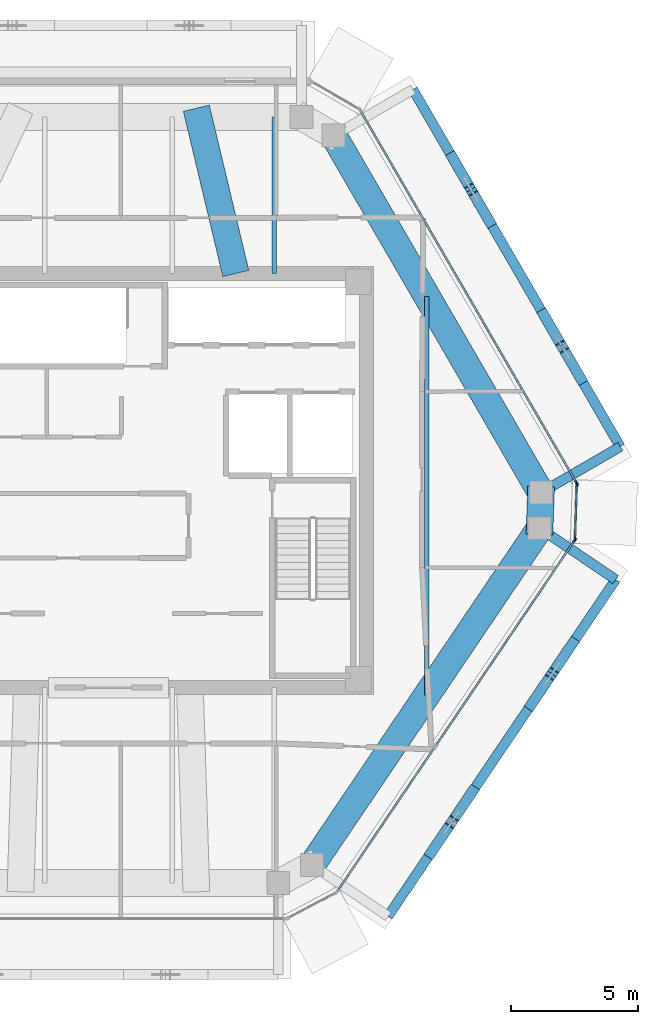
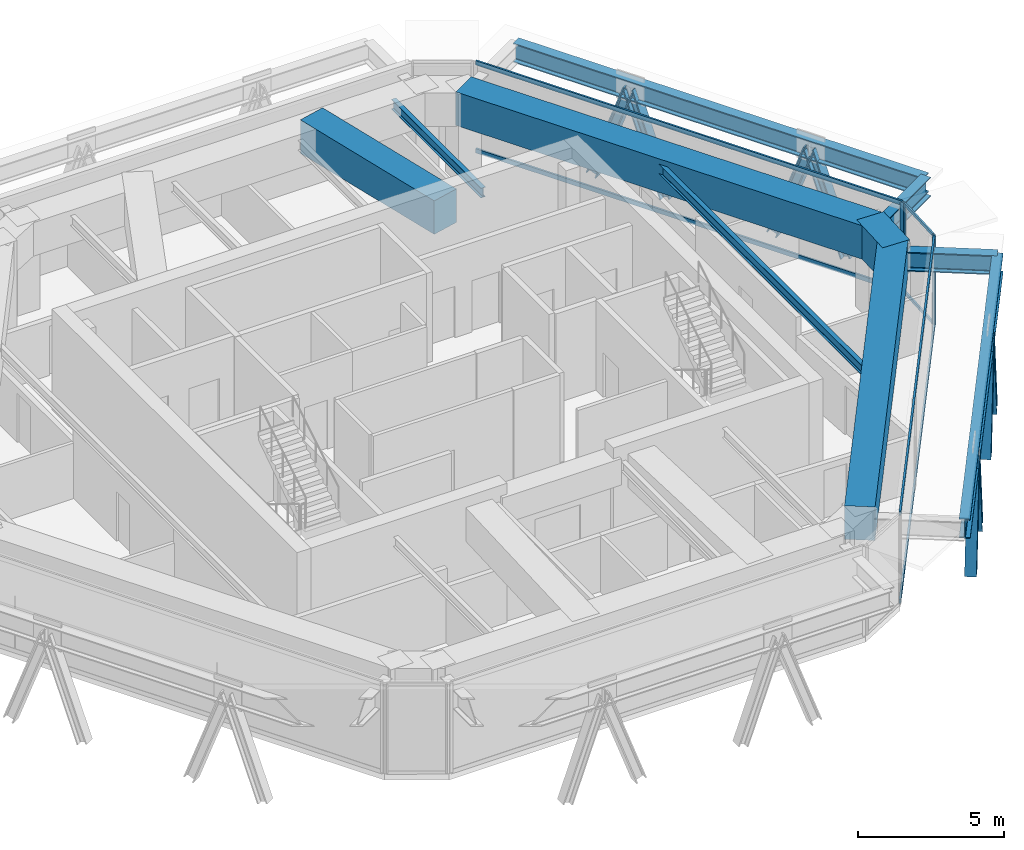
# One storey, part 5 of 13: 18 members, 10 beams, 3 elements without a shape of their own.
"""IFC4 building model written with IfcOpenShell, lengths in metres."""

from ifc_helpers import new_model, si_unit, direction, frame, origin, origin_2d, place, context, subcontext, project, spatial, rectangle, i_section, extrude, source, transform, mapped, material, layer, layer_set, material_profile, profile_set, type_object, type_shapes, element, aggregate, save


model = new_model("IFC4")

# Units and contexts
model_context = context("Model", 3, precision=1e-05, world=origin(), true_north=direction((0.0, 1.0)))
body_context = subcontext(model_context, "Body", "Model", "MODEL_VIEW")
ifc_project = project(units=[si_unit("LENGTHUNIT", "METRE"), si_unit("AREAUNIT", "SQUARE_METRE"), si_unit("VOLUMEUNIT", "CUBIC_METRE"), si_unit("PLANEANGLEUNIT", "RADIAN"), si_unit("MASSUNIT", "GRAM", prefix="KILO")], contexts=[model_context])

# Site, building, storey
site_placement = place(None, origin())
site = spatial("IfcSite", under=ifc_project, at=site_placement, CompositionType="ELEMENT")
building_placement = place(site_placement, origin())
building = spatial("IfcBuilding", under=site, at=building_placement, Name="Durnholm Broadcast Tower", CompositionType="ELEMENT")
storey_placement = place(building_placement, frame((0.0, 0.0, 268.300048828125)))
storey = spatial("IfcBuildingStorey", under=building, at=storey_placement, Name="L75", CompositionType="ELEMENT", Elevation=268.300048828125)

# Beams
ifc_material_1 = material(Name="Steel ASTM A992 Grade 50", Category="steel")
ifc_material_profile_1 = material_profile(ifc_material_1, i_section(OverallWidth=0.385009765625, OverallDepth=0.802978515625, WebThickness=0.023681640625, FlangeThickness=0.0419921875, FilletRadius=0.032958984375, at=origin_2d()), Name="W30X261")
ifc_profile_set_1 = profile_set([ifc_material_profile_1], Name="Steel ASTM A992 Grade 50")
beam_type_1 = type_object("IfcBeamType", Name="BM-EXO-TIE", PredefinedType="USERDEFINED", material=ifc_profile_set_1)
shared_shape_1 = source(origin(), body_context, "Body", "SweptSolid", [
    extrude(i_section(OverallWidth=0.385009765625, OverallDepth=0.802978515625, WebThickness=0.023681640625, FlangeThickness=0.0419921875, FilletRadius=0.032958984375, at=origin_2d()), origin(), (0.0, 0.0, 1.0), 3.4560546875),
])
beam_1_placement = place(storey_placement, frame((17.0947265625, -0.40380859375, 2.99853515625), z_axis=(0.864924479231, 0.501902027518, 0.0), x_axis=(-0.501902027518, 0.864924479231, 0.0)))
element("IfcBeam", 1, at=beam_1_placement, inside=storey, type_object=beam_type_1, Name="L75 exoskeleton stand-off tie bracket F3.1", ObjectType="GIRDER", PredefinedType="USERDEFINED", context=body_context, shape_type="MappedRepresentation", body=[
    mapped(shared_shape_1, transform((0.0, 0.0, 0.0), x_axis=(1.0, 0.0, 0.0), y_axis=(0.0, 1.0, 0.0), z_axis=(0.0, 0.0, 1.0), scale=1.0)),
])
shared_shape_2 = source(origin(), body_context, "Body", "SweptSolid", [
    extrude(i_section(OverallWidth=0.385009765625, OverallDepth=0.802978515625, WebThickness=0.023681640625, FlangeThickness=0.0419921875, FilletRadius=0.032958984375, at=origin_2d()), origin(), (0.0, 0.0, 1.0), 3.455810546875),
])
beam_2_placement = place(storey_placement, frame((17.041748046875, -1.95068359375, 2.99853515625), z_axis=(0.828446342252, -0.560068440469, 0.0), x_axis=(0.560068440469, 0.828446342252, 0.0)))
element("IfcBeam", 2, at=beam_2_placement, inside=storey, type_object=beam_type_1, Name="L75 exoskeleton stand-off tie bracket F2.2", ObjectType="GIRDER", PredefinedType="USERDEFINED", context=body_context, shape_type="MappedRepresentation", body=[
    mapped(shared_shape_2, transform((0.0, 0.0, 0.0), x_axis=(1.0, 0.0, 0.0), y_axis=(0.0, 1.0, 0.0), z_axis=(0.0, 0.0, 1.0), scale=1.0)),
])
shared_shape_3 = source(origin(), body_context, "Body", "SweptSolid", [
    extrude(i_section(OverallWidth=0.385009765625, OverallDepth=0.802978515625, WebThickness=0.023681640625, FlangeThickness=0.0419921875, FilletRadius=0.032958984375, at=origin_2d()), origin(), (0.0, 0.0, 1.0), 15.947021484375),
])
beam_3_placement = place(storey_placement, frame((10.973388671875, -17.097412109375, 2.99853515625), z_axis=(0.560069315853, 0.828445750451, 0.0), x_axis=(-0.828445750451, 0.560069315853, 0.0)))
element("IfcBeam", 3, at=beam_3_placement, inside=storey, type_object=beam_type_1, Name="L75 exoskeleton collector spandrel F2", PredefinedType="SPANDREL", context=body_context, shape_type="MappedRepresentation", body=[
    mapped(shared_shape_3, transform((0.0, 0.0, 0.0), x_axis=(1.0, 0.0, 0.0), y_axis=(0.0, 1.0, 0.0), z_axis=(0.0, 0.0, 1.0), scale=1.0)),
])
shared_shape_4 = source(origin(), body_context, "Body", "SweptSolid", [
    extrude(i_section(OverallWidth=0.385009765625, OverallDepth=0.802978515625, WebThickness=0.023681640625, FlangeThickness=0.0419921875, FilletRadius=0.032958984375, at=origin_2d()), origin(), (0.0, 0.0, 1.0), 16.202880859375),
])
type_shapes(beam_type_1, [shared_shape_1, shared_shape_2, shared_shape_3, shared_shape_4])
beam_4_placement = place(storey_placement, frame((20.083984375, 1.330810546875, 2.99853515625), z_axis=(-0.501948303381, 0.864897624423, 0.0), x_axis=(-0.864897624423, -0.501948303381, 0.0)))
element("IfcBeam", 4, at=beam_4_placement, inside=storey, type_object=beam_type_1, Name="L75 exoskeleton collector spandrel F3", PredefinedType="SPANDREL", context=body_context, shape_type="MappedRepresentation", body=[
    mapped(shared_shape_4, transform((0.0, 0.0, 0.0), x_axis=(1.0, 0.0, 0.0), y_axis=(0.0, 1.0, 0.0), z_axis=(0.0, 0.0, 1.0), scale=1.0)),
])
ifc_material_profile_2 = material_profile(ifc_material_1, i_section(OverallWidth=0.177734375, OverallDepth=0.40673828125, WebThickness=0.0078125, FlangeThickness=0.0126953125, FilletRadius=0.01904296875, at=origin_2d()), Name="W16X40")
ifc_profile_set_2 = profile_set([ifc_material_profile_2], Name="Steel ASTM A992 Grade 50")
beam_type_2 = type_object("IfcBeamType", Name="STL-BJ-W16X40", PredefinedType="JOIST", material=ifc_profile_set_2)
shared_shape_5 = source(origin(), body_context, "Body", "SweptSolid", [
    extrude(i_section(OverallWidth=0.177734375, OverallDepth=0.40673828125, WebThickness=0.0078125, FlangeThickness=0.0126953125, FilletRadius=0.01904296875, at=origin_2d()), origin(), (0.0, 0.0, 1.0), 6.136962890625),
])
beam_5_placement = place(storey_placement, frame((6.5, 8.125, 3.32666015625), z_axis=(0.0, 1.0, 0.0), x_axis=(-1.0, 0.0, 0.0)))
element("IfcBeam", 5, at=beam_5_placement, inside=storey, type_object=beam_type_2, Name="L75 secondary floor joist 7.2", PredefinedType="JOIST", context=body_context, shape_type="MappedRepresentation", body=[
    mapped(shared_shape_5, transform((0.0, 0.0, 0.0), x_axis=(1.0, 0.0, 0.0), y_axis=(0.0, 1.0, 0.0), z_axis=(0.0, 0.0, 1.0), scale=1.0)),
])
ifc_material_2 = material(Name="Concrete C70/85", Category="concrete")
ifc_material_profile_3 = material_profile(ifc_material_2, rectangle(XDim=1.050048828125, YDim=1.39990234375, at=origin_2d()), Name="RC1050X1400")
ifc_profile_set_3 = profile_set([ifc_material_profile_3], Name="Concrete C70/85")
beam_type_3 = type_object("IfcBeamType", Name="BM-TG-RC1400", PredefinedType="USERDEFINED", material=ifc_profile_set_3)
shared_shape_6 = source(origin(), body_context, "Body", "SweptSolid", [
    extrude(rectangle(XDim=1.050048828125, YDim=1.39990234375, at=origin_2d()), origin(), (0.0, 0.0, 1.0), 1.894775390625),
])
beam_6_placement = place(storey_placement, frame((16.97900390625, -0.226318359375, 3.050048828125), z_axis=(-0.034404581301, -0.999407987153, 0.0), x_axis=(0.999407987153, -0.034404581301, 0.0)))
element("IfcBeam", 6, at=beam_6_placement, inside=storey, type_object=beam_type_3, Name="L75 perimeter transfer spandrel girder 08", PredefinedType="SPANDREL", context=body_context, shape_type="MappedRepresentation", body=[
    mapped(shared_shape_6, transform((0.0, 0.0, 0.0), x_axis=(1.0, 0.0, 0.0), y_axis=(0.0, 1.0, 0.0), z_axis=(0.0, 0.0, 1.0), scale=1.0)),
])
shared_shape_7 = source(origin(), body_context, "Body", "SweptSolid", [
    extrude(rectangle(XDim=1.050048828125, YDim=1.39990234375, at=origin_2d()), origin(), (0.0, 0.0, 1.0), 15.947265625),
])
beam_7_placement = place(storey_placement, frame((16.92236328125, -1.869873046875, 3.050048828125), z_axis=(-0.560062212489, -0.828450552623, 0.0), x_axis=(0.828450552623, -0.560062212489, 0.0)))
element("IfcBeam", 7, at=beam_7_placement, inside=storey, type_object=beam_type_3, Name="L75 perimeter transfer spandrel girder 09", PredefinedType="SPANDREL", context=body_context, shape_type="MappedRepresentation", body=[
    mapped(shared_shape_7, transform((0.0, 0.0, 0.0), x_axis=(1.0, 0.0, 0.0), y_axis=(0.0, 1.0, 0.0), z_axis=(0.0, 0.0, 1.0), scale=1.0)),
])
shared_shape_8 = source(origin(), body_context, "Body", "SweptSolid", [
    extrude(rectangle(XDim=1.050048828125, YDim=1.39990234375, at=origin_2d()), origin(), (0.0, 0.0, 1.0), 16.20263671875),
])
beam_8_placement = place(storey_placement, frame((8.83740234375, 13.53759765625, 3.050048828125), z_axis=(0.501943573333, -0.864900369516, 0.0), x_axis=(0.864900369516, 0.501943573333, 0.0)))
element("IfcBeam", 8, at=beam_8_placement, inside=storey, type_object=beam_type_3, Name="L75 perimeter transfer spandrel girder 07", PredefinedType="SPANDREL", context=body_context, shape_type="MappedRepresentation", body=[
    mapped(shared_shape_8, transform((0.0, 0.0, 0.0), x_axis=(1.0, 0.0, 0.0), y_axis=(0.0, 1.0, 0.0), z_axis=(0.0, 0.0, 1.0), scale=1.0)),
])
shared_shape_9 = source(origin(), body_context, "Body", "SweptSolid", [
    extrude(rectangle(XDim=1.050048828125, YDim=1.39990234375, at=origin_2d()), origin(), (0.0, 0.0, 1.0), 6.669677734375),
])
type_shapes(beam_type_3, [shared_shape_6, shared_shape_7, shared_shape_8, shared_shape_9])
beam_9_placement = place(storey_placement, frame((5.0, 8.125, 3.050048828125), z_axis=(-0.232402344722, 0.972619735646, 0.0), x_axis=(-0.972619735646, -0.232402344722, 0.0)))
element("IfcBeam", 9, at=beam_9_placement, inside=storey, type_object=beam_type_3, Name="L75 radial setback transfer girder 15", ObjectType="GIRDER", PredefinedType="USERDEFINED", context=body_context, shape_type="MappedRepresentation", body=[
    mapped(shared_shape_9, transform((0.0, 0.0, 0.0), x_axis=(1.0, 0.0, 0.0), y_axis=(0.0, 1.0, 0.0), z_axis=(0.0, 0.0, 1.0), scale=1.0)),
])
shared_shape_10 = source(origin(), body_context, "Body", "SweptSolid", [
    extrude(i_section(OverallWidth=0.177734375, OverallDepth=0.40673828125, WebThickness=0.0078125, FlangeThickness=0.0126953125, FilletRadius=0.01904296875, at=origin_2d()), origin(), (0.0, 0.0, 1.0), 15.638427734375),
])
type_shapes(beam_type_2, [shared_shape_5, shared_shape_10])
beam_10_placement = place(storey_placement, frame((12.5, -8.41162109375, 3.32666015625), z_axis=(0.0, 1.0, 0.0), x_axis=(-1.0, 0.0, 0.0)))
element("IfcBeam", 10, at=beam_10_placement, inside=storey, type_object=beam_type_2, Name="L75 secondary floor joist 8.1", PredefinedType="JOIST", context=body_context, shape_type="MappedRepresentation", body=[
    mapped(shared_shape_10, transform((0.0, 0.0, 0.0), x_axis=(1.0, 0.0, 0.0), y_axis=(0.0, 1.0, 0.0), z_axis=(0.0, 0.0, 1.0), scale=1.0)),
])

# Members
ifc_material_3 = material(Name="Steel ASTM A913 Grade 65", Category="steel")
ifc_material_profile_4 = material_profile(ifc_material_3, i_section(OverallWidth=0.40625, OverallDepth=0.416015625, WebThickness=0.02978515625, FlangeThickness=0.048095703125, FilletRadius=0.030517578125, at=origin_2d()), Name="W14X257")
ifc_profile_set_4 = profile_set([ifc_material_profile_4], Name="Steel ASTM A913 Grade 65")
member_type_1 = type_object("IfcMemberType", Name="STL-DG-W14X257", PredefinedType="BRACE", material=ifc_profile_set_4)
shared_shape_11 = source(origin(), body_context, "Body", "SweptSolid", [
    extrude(i_section(OverallWidth=0.40625, OverallDepth=0.416015625, WebThickness=0.02978515625, FlangeThickness=0.048095703125, FilletRadius=0.030517578125, at=origin_2d()), origin(), (0.0, 0.0, 1.0), 4.3046875),
])
for number, where, z_axis, x_axis, name in (
    (11, (12.657470703125, -14.6064453125, -1.051513671875), (0.189715206284, 0.280687759611, 0.940862647845), (-0.828505003222, 0.559981660089, 0.0), "L75 stand-off diagrid brace F2.D1.1"),
    (12, (16.58740234375, -8.79345703125, -1.051513671875), (0.189715206284, 0.280687759611, 0.940862647845), (-0.828505003222, 0.559981660089, 0.0), "L75 stand-off diagrid brace F2.D2.1"),
    (13, (18.53857421875, 3.99365234375, -1.051513671875), (-0.170036393891, 0.292998002281, 0.940871827303), (-0.864906184135, -0.501933554014, 0.0), "L75 stand-off diagrid brace F3.D1.1"),
    (14, (17.07470703125, 6.51611328125, -1.051513671875), (0.170036393891, -0.292998002281, 0.940871827303), (0.864906184135, 0.501933554014, 0.0), "L75 stand-off diagrid brace F3.D1.2"),
    (15, (14.960205078125, 10.15966796875, -1.051513671875), (-0.170036393891, 0.292998002281, 0.940871827303), (-0.864906184135, -0.501933554014, 0.0), "L75 stand-off diagrid brace F3.D2.1"),
):
    element("IfcMember", number, at=place(storey_placement, frame(where, z_axis=z_axis, x_axis=x_axis)), inside=storey, type_object=member_type_1, Name=name, PredefinedType="BRACE", context=body_context, shape_type="MappedRepresentation", body=[
        mapped(shared_shape_11, transform((0.0, 0.0, 0.0), x_axis=(1.0, 0.0, 0.0), y_axis=(0.0, 1.0, 0.0), z_axis=(0.0, 0.0, 1.0), scale=1.0)),
    ])
shared_shape_12 = source(origin(), body_context, "Body", "SweptSolid", [
    extrude(i_section(OverallWidth=0.40625, OverallDepth=0.416015625, WebThickness=0.02978515625, FlangeThickness=0.048095703125, FilletRadius=0.030517578125, at=origin_2d()), origin(), (0.0, 0.0, 1.0), 4.304443359375),
])
type_shapes(member_type_1, [shared_shape_11, shared_shape_12])
for number, where, z_axis, x_axis, name in (
    (16, (14.290771484375, -12.190185546875, -1.051513671875), (-0.189718226222, -0.280635510717, 0.940877624754), (0.828452496411, -0.560059337206, 0.0), "L75 stand-off diagrid brace F2.D1.2"),
    (17, (18.220703125, -6.377197265625, -1.051513671875), (-0.189718226222, -0.280635510717, 0.940877624754), (0.828452496411, -0.560059337206, 0.0), "L75 stand-off diagrid brace F2.D2.2"),
    (18, (13.496337890625, 12.681884765625, -1.051513671875), (0.170039219327, -0.292946153378, 0.940887461449), (0.864863994925, 0.502006245263, 0.0), "L75 stand-off diagrid brace F3.D2.2"),
):
    element("IfcMember", number, at=place(storey_placement, frame(where, z_axis=z_axis, x_axis=x_axis)), inside=storey, type_object=member_type_1, Name=name, PredefinedType="BRACE", context=body_context, shape_type="MappedRepresentation", body=[
        mapped(shared_shape_12, transform((0.0, 0.0, 0.0), x_axis=(1.0, 0.0, 0.0), y_axis=(0.0, 1.0, 0.0), z_axis=(0.0, 0.0, 1.0), scale=1.0)),
    ])

# Curtain wall, members
ifc_material_4 = material(Name="Aluminium and Solar Control IGU", Category="aluminium")
ifc_layer_1 = layer(ifc_material_4, 0.1650390625)
ifc_layer_set_1 = layer_set([ifc_layer_1], Name="Aluminium and Solar Control IGU")
curtain_wall_type_1 = type_object("IfcCurtainWallType", Name="CW-SYS-5", PredefinedType="NOTDEFINED", material=ifc_layer_set_1)
curtain_wall_1_placement = place(storey_placement, origin())
curtain_wall_1 = element("IfcCurtainWall", 19, at=curtain_wall_1_placement, inside=storey, type_object=curtain_wall_type_1, Name="L75 curtain wall CW-CORNER CW-L75-CRN-07", PredefinedType="NOTDEFINED")
ifc_material_5 = material(Name="Aluminium 6063-T6", Category="aluminium")
ifc_material_profile_5 = material_profile(ifc_material_5, rectangle(XDim=0.06494140625, YDim=0.1298828125, at=origin_2d()), Name="CWT65X130")
ifc_profile_set_5 = profile_set([ifc_material_profile_5], Name="Aluminium 6063-T6")
member_type_2 = type_object("IfcMemberType", Name="CW-SYS-5-TRN", PredefinedType="USERDEFINED", material=ifc_profile_set_5)
shared_shape_13 = source(origin(), body_context, "Body", "SweptSolid", [
    extrude(rectangle(XDim=0.06494140625, YDim=0.1298828125, at=origin_2d()), origin(), (0.0, 0.0, 1.0), 2.06982421875),
])
type_shapes(member_type_2, [shared_shape_13])
member_1_placement = place(storey_placement, frame((18.381103515625, -0.186767578125, 0.032470703125), z_axis=(-0.034324150719, -0.999410752733, 0.0), x_axis=(0.999410752733, -0.034324150719, 0.0)))
member_1 = element("IfcMember", 20, at=member_1_placement, type_object=member_type_2, Name="CW-CORNER transom 1.1", ObjectType="TRANSOM", PredefinedType="USERDEFINED", context=body_context, shape_type="MappedRepresentation", body=[
    mapped(shared_shape_13, transform((0.0, 0.0, 0.0), x_axis=(1.0, 0.0, 0.0), y_axis=(0.0, 1.0, 0.0), z_axis=(0.0, 0.0, 1.0), scale=1.0)),
])
member_2_placement = place(storey_placement, frame((18.381103515625, -0.186767578125, 3.717529296875), z_axis=(-0.034324150719, -0.999410752733, 0.0), x_axis=(0.999410752733, -0.034324150719, 0.0)))
member_2 = element("IfcMember", 21, at=member_2_placement, type_object=member_type_2, Name="CW-CORNER transom 1.2", ObjectType="TRANSOM", PredefinedType="USERDEFINED", context=body_context, shape_type="MappedRepresentation", body=[
    mapped(shared_shape_13, transform((0.0, 0.0, 0.0), x_axis=(1.0, 0.0, 0.0), y_axis=(0.0, 1.0, 0.0), z_axis=(0.0, 0.0, 1.0), scale=1.0)),
])
ifc_material_profile_6 = material_profile(ifc_material_5, rectangle(XDim=0.06494140625, YDim=0.1650390625, at=origin_2d()), Name="CWM65X165")
ifc_profile_set_6 = profile_set([ifc_material_profile_6], Name="Aluminium 6063-T6")
member_type_3 = type_object("IfcMemberType", Name="CW-SYS-5-MUL", PredefinedType="MULLION", material=ifc_profile_set_6)
shared_shape_14 = source(origin(), body_context, "Body", "SweptSolid", [
    extrude(rectangle(XDim=0.06494140625, YDim=0.1650390625, at=origin_2d()), origin(), (0.0, 0.0, 1.0), 3.75),
])
type_shapes(member_type_3, [shared_shape_14])
member_3_placement = place(storey_placement, frame((18.382080078125, -0.154296875, 0.0), z_axis=(0.0, 0.0, 1.0), x_axis=(0.999410955514, -0.034318245849, 0.0)))
member_3 = element("IfcMember", 22, at=member_3_placement, type_object=member_type_3, Name="CW-CORNER mullion 1", PredefinedType="MULLION", context=body_context, shape_type="MappedRepresentation", body=[
    mapped(shared_shape_14, transform((0.0, 0.0, 0.0), x_axis=(1.0, 0.0, 0.0), y_axis=(0.0, 1.0, 0.0), z_axis=(0.0, 0.0, 1.0), scale=1.0)),
])
member_4_placement = place(storey_placement, frame((18.308837890625, -2.287841796875, 0.0), z_axis=(0.0, 0.0, 1.0), x_axis=(0.999410955514, -0.034318245849, 0.0)))
member_4 = element("IfcMember", 23, at=member_4_placement, type_object=member_type_3, Name="CW-CORNER mullion 2", PredefinedType="MULLION", context=body_context, shape_type="MappedRepresentation", body=[
    mapped(shared_shape_14, transform((0.0, 0.0, 0.0), x_axis=(1.0, 0.0, 0.0), y_axis=(0.0, 1.0, 0.0), z_axis=(0.0, 0.0, 1.0), scale=1.0)),
])
aggregate(curtain_wall_1, [member_3, member_4, member_1, member_2])

# Curtain wall, member
ifc_layer_2 = layer(ifc_material_4, 0.219970703125)
ifc_layer_set_2 = layer_set([ifc_layer_2], Name="Aluminium and Solar Control IGU")
curtain_wall_type_2 = type_object("IfcCurtainWallType", Name="CW-SYS-6", PredefinedType="NOTDEFINED", material=ifc_layer_set_2)
curtain_wall_2_placement = place(storey_placement, origin())
curtain_wall_2 = element("IfcCurtainWall", 24, at=curtain_wall_2_placement, inside=storey, type_object=curtain_wall_type_2, Name="L75 curtain wall CW-AMENITY CW-L75-F06", PredefinedType="NOTDEFINED")
ifc_material_profile_7 = material_profile(ifc_material_5, rectangle(XDim=0.074951171875, YDim=0.219970703125, at=origin_2d()), Name="CWM75X220")
ifc_profile_set_7 = profile_set([ifc_material_profile_7], Name="Aluminium 6063-T6")
member_type_4 = type_object("IfcMemberType", Name="CW-SYS-6-MUL", PredefinedType="MULLION", material=ifc_profile_set_7)
shared_shape_15 = source(origin(), body_context, "Body", "SweptSolid", [
    extrude(rectangle(XDim=0.074951171875, YDim=0.219970703125, at=origin_2d()), origin(), (0.0, 0.0, 1.0), 3.75),
])
type_shapes(member_type_4, [shared_shape_15])
member_5_placement = place(storey_placement, frame((18.364501953125, -0.08935546875, 0.0), z_axis=(0.0, 0.0, 1.0), x_axis=(0.864899883824, 0.50194441023, 0.0)))
member_5 = element("IfcMember", 25, at=member_5_placement, type_object=member_type_4, Name="CW-AMENITY mullion 2", PredefinedType="MULLION", context=body_context, shape_type="MappedRepresentation", body=[
    mapped(shared_shape_15, transform((0.0, 0.0, 0.0), x_axis=(1.0, 0.0, 0.0), y_axis=(0.0, 1.0, 0.0), z_axis=(0.0, 0.0, 1.0), scale=1.0)),
])

curtain_wall_3_placement = place(storey_placement, origin())
curtain_wall_3 = element("IfcCurtainWall", 26, at=curtain_wall_3_placement, inside=storey, type_object=curtain_wall_type_2, Name="L75 curtain wall CW-AMENITY CW-L75-F08", PredefinedType="NOTDEFINED")
member_6_placement = place(storey_placement, frame((18.286865234375, -2.3515625, 0.0), z_axis=(0.0, 0.0, 1.0), x_axis=(0.828443431662, -0.560072745753, 0.0)))
member_6 = element("IfcMember", 27, at=member_6_placement, type_object=member_type_4, Name="CW-AMENITY mullion 1", PredefinedType="MULLION", context=body_context, shape_type="MappedRepresentation", body=[
    mapped(shared_shape_15, transform((0.0, 0.0, 0.0), x_axis=(1.0, 0.0, 0.0), y_axis=(0.0, 1.0, 0.0), z_axis=(0.0, 0.0, 1.0), scale=1.0)),
])

# Member
ifc_material_profile_8 = material_profile(ifc_material_5, rectangle(XDim=0.074951171875, YDim=0.179931640625, at=origin_2d()), Name="CWT75X180")
ifc_profile_set_8 = profile_set([ifc_material_profile_8], Name="Aluminium 6063-T6")
member_type_5 = type_object("IfcMemberType", Name="CW-SYS-6-TRN", PredefinedType="USERDEFINED", material=ifc_profile_set_8)
shared_shape_16 = source(origin(), body_context, "Body", "SweptSolid", [
    extrude(rectangle(XDim=0.074951171875, YDim=0.179931640625, at=origin_2d()), origin(), (0.0, 0.0, 1.0), 16.829833984375),
])
member_7_placement = place(storey_placement, frame((9.89794921875, 14.499267578125, 0.037353515625), z_axis=(0.501948627785, -0.864897436154, 0.0), x_axis=(0.864897436154, 0.501948627785, 0.0)))
member_7 = element("IfcMember", 28, at=member_7_placement, type_object=member_type_5, Name="CW-AMENITY transom 1.1", ObjectType="TRANSOM", PredefinedType="USERDEFINED", context=body_context, shape_type="MappedRepresentation", body=[
    mapped(shared_shape_16, transform((0.0, 0.0, 0.0), x_axis=(1.0, 0.0, 0.0), y_axis=(0.0, 1.0, 0.0), z_axis=(0.0, 0.0, 1.0), scale=1.0)),
])

member_8_placement = place(storey_placement, frame((9.89794921875, 14.499267578125, 3.71240234375), z_axis=(0.501948627785, -0.864897436154, 0.0), x_axis=(0.864897436154, 0.501948627785, 0.0)))
member_8 = element("IfcMember", 29, at=member_8_placement, type_object=member_type_5, Name="CW-AMENITY transom 1.2", ObjectType="TRANSOM", PredefinedType="USERDEFINED", context=body_context, shape_type="MappedRepresentation", body=[
    mapped(shared_shape_16, transform((0.0, 0.0, 0.0), x_axis=(1.0, 0.0, 0.0), y_axis=(0.0, 1.0, 0.0), z_axis=(0.0, 0.0, 1.0), scale=1.0)),
])

aggregate(curtain_wall_2, [member_5, member_7, member_8])

shared_shape_17 = source(origin(), body_context, "Body", "SweptSolid", [
    extrude(rectangle(XDim=0.074951171875, YDim=0.179931640625, at=origin_2d()), origin(), (0.0, 0.0, 1.0), 16.548583984375),
])
type_shapes(member_type_5, [shared_shape_16, shared_shape_17])
member_9_placement = place(storey_placement, frame((18.265869140625, -2.382568359375, 0.037353515625), z_axis=(-0.56008131914, -0.828437635523, 0.0), x_axis=(0.828437635523, -0.56008131914, 0.0)))
member_9 = element("IfcMember", 30, at=member_9_placement, type_object=member_type_5, Name="CW-AMENITY transom 1.1", ObjectType="TRANSOM", PredefinedType="USERDEFINED", context=body_context, shape_type="MappedRepresentation", body=[
    mapped(shared_shape_17, transform((0.0, 0.0, 0.0), x_axis=(1.0, 0.0, 0.0), y_axis=(0.0, 1.0, 0.0), z_axis=(0.0, 0.0, 1.0), scale=1.0)),
])

member_10_placement = place(storey_placement, frame((18.265869140625, -2.382568359375, 3.71240234375), z_axis=(-0.56008131914, -0.828437635523, 0.0), x_axis=(0.828437635523, -0.56008131914, 0.0)))
member_10 = element("IfcMember", 31, at=member_10_placement, type_object=member_type_5, Name="CW-AMENITY transom 1.2", ObjectType="TRANSOM", PredefinedType="USERDEFINED", context=body_context, shape_type="MappedRepresentation", body=[
    mapped(shared_shape_17, transform((0.0, 0.0, 0.0), x_axis=(1.0, 0.0, 0.0), y_axis=(0.0, 1.0, 0.0), z_axis=(0.0, 0.0, 1.0), scale=1.0)),
])

aggregate(curtain_wall_3, [member_6, member_9, member_10])

save(model, "model.ifc")
